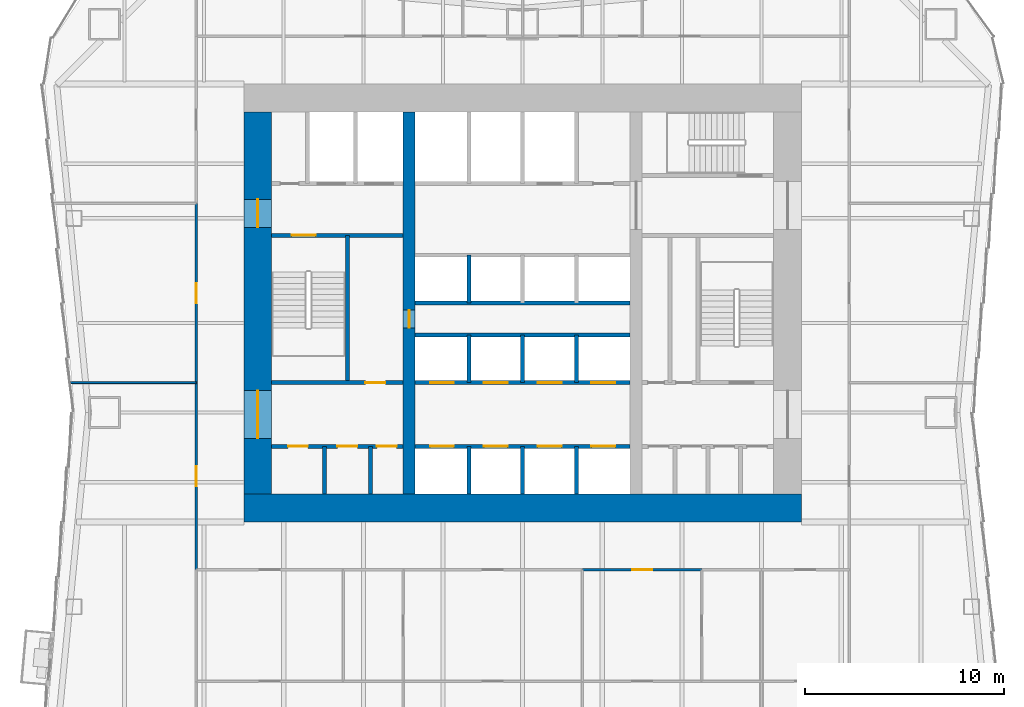
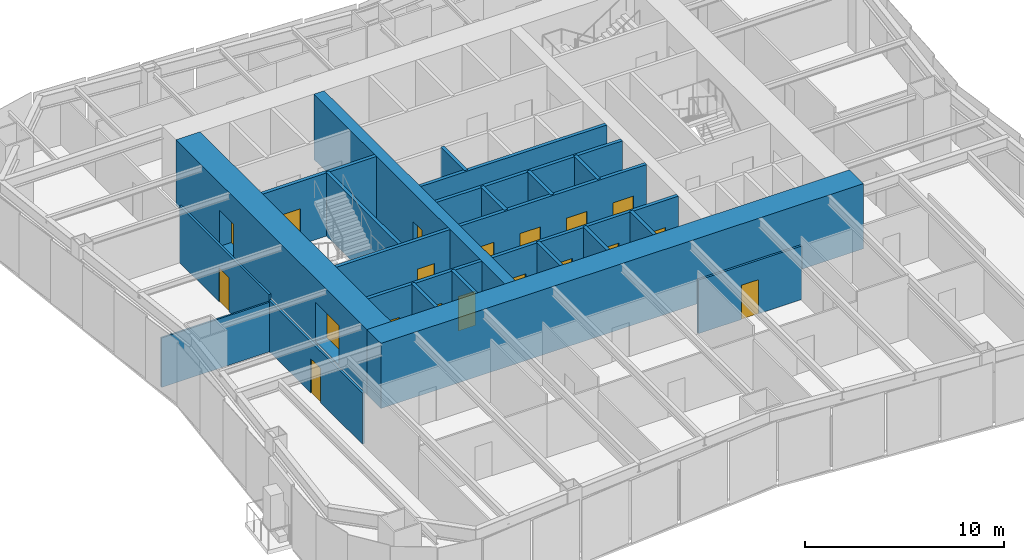
# One storey, part 4 of 8: 24 walls, 19 doors, 19 openings.
"""IFC4 building model written with IfcOpenShell, lengths in metres."""

from ifc_helpers import new_model, si_unit, direction, frame, frame_2d, origin, place, context, subcontext, project, spatial, rectangle, extrude, material, layer, layer_set, type_object, element, fill, save


model = new_model("IFC4")

# Units and contexts
model_context = context("Model", 3, precision=1e-05, world=origin(), true_north=direction((0.0, 1.0)))
body_context = subcontext(model_context, "Body", "Model", "MODEL_VIEW")
ifc_project = project(units=[si_unit("LENGTHUNIT", "METRE"), si_unit("AREAUNIT", "SQUARE_METRE"), si_unit("VOLUMEUNIT", "CUBIC_METRE"), si_unit("PLANEANGLEUNIT", "RADIAN"), si_unit("MASSUNIT", "GRAM", prefix="KILO")], contexts=[model_context])

# Site, building, storey
site_placement = place(None, origin())
site = spatial("IfcSite", under=ifc_project, at=site_placement, CompositionType="ELEMENT")
building_placement = place(site_placement, origin())
building = spatial("IfcBuilding", under=site, at=building_placement, Name="Verdant Reach Tower", CompositionType="ELEMENT")
storey_placement = place(building_placement, frame((0.0, 0.0, 46.0)))
storey = spatial("IfcBuildingStorey", under=building, at=storey_placement, Name="L10", CompositionType="ELEMENT", Elevation=46.0)

# Wall, openings, doors
ifc_material_1 = material(Name="Gypsum board on steel studs", Category="steel")
ifc_layer_1 = layer(ifc_material_1, 0.199951171875)
ifc_layer_set_1 = layer_set([ifc_layer_1], Name="CO-WALL-ROOM")
wall_type_1 = type_object("IfcWallType", Name="CO-WALL-ROOM", PredefinedType="PARTITIONING", material=ifc_layer_set_1)
wall_1_placement = place(storey_placement, frame((-12.60009765625, 20.800048828125, 0.0), z_axis=(0.0, 0.0, 1.0), x_axis=(1.0, 0.0, 0.0)))
wall_1 = element("IfcWall", 1, at=wall_1_placement, inside=storey, type_object=wall_type_1, Name="Core partition, L10", PredefinedType="PARTITIONING", context=body_context, shape_type="SweptSolid", body=[
    extrude(rectangle(XDim=6.60009765625, YDim=0.199951171875, at=frame_2d((3.300048828125, 0.0))), origin(), (0.0, 0.0, 1.0), 3.8701171875),
])
opening_1_placement = place(wall_1_placement, frame((0.820068359375, 0.0, 0.0)))
opening_1 = element("IfcOpeningElement", 2, at=opening_1_placement, cuts=wall_1, Name="Opening CD", PredefinedType="OPENING", context=body_context, shape_type="SweptSolid", body=[
    extrude(rectangle(XDim=1.0, YDim=2.10009765625, at=frame_2d((0.5, 1.050048828125))), frame((0.0, 0.10986328125, 0.0), z_axis=(0.0, -1.0, 0.0), x_axis=(1.0, 0.0, 0.0)), (0.0, 0.0, 1.0), 0.219970703125),
])
opening_2_placement = place(wall_1_placement, frame((3.294921875, 0.0, 0.0)))
opening_2 = element("IfcOpeningElement", 3, at=opening_2_placement, cuts=wall_1, Name="Opening CD", PredefinedType="OPENING", context=body_context, shape_type="SweptSolid", body=[
    extrude(rectangle(XDim=1.0, YDim=2.10009765625, at=frame_2d((0.5, 1.050048828125))), frame((0.0, 0.10986328125, 0.0), z_axis=(0.0, -1.0, 0.0), x_axis=(1.0, 0.0, 0.0)), (0.0, 0.0, 1.0), 0.219970703125),
])
opening_3_placement = place(wall_1_placement, frame((5.27490234375, 0.0, 0.0)))
opening_3 = element("IfcOpeningElement", 4, at=opening_3_placement, cuts=wall_1, Name="Opening CD", PredefinedType="OPENING", context=body_context, shape_type="SweptSolid", body=[
    extrude(rectangle(XDim=1.0, YDim=2.10009765625, at=frame_2d((0.5, 1.050048828125))), frame((0.0, 0.10986328125, 0.0), z_axis=(0.0, -1.0, 0.0), x_axis=(1.0, 0.0, 0.0)), (0.0, 0.0, 1.0), 0.219970703125),
])
ifc_material_2 = material(Name="Timber", Category="wood")
door_type_1 = type_object("IfcDoorType", Name="CO-DOOR-ROOM", OperationType="NOTDEFINED", PredefinedType="DOOR", material=ifc_material_2)
door_1_placement = place(opening_1_placement, origin())
door_1 = element("IfcDoor", 5, at=door_1_placement, inside=storey, type_object=door_type_1, Name="Core room door, L10", OperationType="SINGLE_SWING_LEFT", OverallHeight=2.10009765625, OverallWidth=1.0, PredefinedType="DOOR", context=body_context, shape_type="SweptSolid", body=[
    extrude(rectangle(XDim=1.0, YDim=2.10009765625, at=frame_2d((0.5, 1.050048828125))), frame((0.0, 0.02490234375, 0.0), z_axis=(0.0, -1.0, 0.0), x_axis=(1.0, 0.0, 0.0)), (0.0, 0.0, 1.0), 0.050048828125),
])
fill(opening_1, door_1)
door_2_placement = place(opening_2_placement, origin())
door_2 = element("IfcDoor", 6, at=door_2_placement, inside=storey, type_object=door_type_1, Name="Core room door, L10", OperationType="SINGLE_SWING_LEFT", OverallHeight=2.10009765625, OverallWidth=1.0, PredefinedType="DOOR", context=body_context, shape_type="SweptSolid", body=[
    extrude(rectangle(XDim=1.0, YDim=2.10009765625, at=frame_2d((0.5, 1.050048828125))), frame((0.0, 0.02490234375, 0.0), z_axis=(0.0, -1.0, 0.0), x_axis=(1.0, 0.0, 0.0)), (0.0, 0.0, 1.0), 0.050048828125),
])
fill(opening_2, door_2)
door_3_placement = place(opening_3_placement, origin())
door_3 = element("IfcDoor", 7, at=door_3_placement, inside=storey, type_object=door_type_1, Name="Core room door, L10", OperationType="SINGLE_SWING_RIGHT", OverallHeight=2.10009765625, OverallWidth=1.0, PredefinedType="DOOR", context=body_context, shape_type="SweptSolid", body=[
    extrude(rectangle(XDim=1.0, YDim=2.10009765625, at=frame_2d((0.5, 1.050048828125))), frame((0.0, 0.02490234375, 0.0), z_axis=(0.0, -1.0, 0.0), x_axis=(1.0, 0.0, 0.0)), (0.0, 0.0, 1.0), 0.050048828125),
])
fill(opening_3, door_3)

# Walls
for number, where, z_axis, x_axis, name in (
    (8, (-9.9599609375, 18.39990234375, 0.0), (0.0, 0.0, 1.0), (0.0, 1.0, 0.0), "Core partition, L10"),
    (9, (-7.64990234375, 18.39990234375, 0.0), (0.0, 0.0, 1.0), (0.0, 1.0, 0.0), "Core partition, L10"),
):
    element("IfcWall", number, at=place(storey_placement, frame(where, z_axis=z_axis, x_axis=x_axis)), inside=storey, type_object=wall_type_1, Name=name, PredefinedType="PARTITIONING", context=body_context, shape_type="SweptSolid", body=[
        extrude(rectangle(XDim=2.400146484375, YDim=0.199951171875, at=frame_2d((1.2001953125, 0.0))), origin(), (0.0, 0.0, 1.0), 3.8701171875),
    ])

# Wall, openings, doors
ifc_material_3 = material(Name="Concrete C40/50", Category="concrete")
ifc_layer_2 = layer(ifc_material_3, 0.199951171875)
ifc_layer_set_2 = layer_set([ifc_layer_2], Name="CO-WALL-SHAFT")
wall_type_2 = type_object("IfcWallType", Name="CO-WALL-SHAFT", PredefinedType="PARTITIONING", material=ifc_layer_set_2)
wall_2_placement = place(storey_placement, frame((-5.39990234375, 20.800048828125, 0.0), z_axis=(0.0, 0.0, 1.0), x_axis=(1.0, 0.0, 0.0)))
wall_2 = element("IfcWall", 10, at=wall_2_placement, inside=storey, type_object=wall_type_2, Name="Lift shaft wall, L10", PredefinedType="PARTITIONING", context=body_context, shape_type="SweptSolid", body=[
    extrude(rectangle(XDim=10.7998046875, YDim=0.199951171875, at=frame_2d((5.39990234375, 0.0))), origin(), (0.0, 0.0, 1.0), 3.8701171875),
])
opening_4_placement = place(wall_2_placement, frame((0.75, 0.0, 0.0)))
opening_4 = element("IfcOpeningElement", 11, at=opening_4_placement, cuts=wall_2, Name="Opening LD-A1", PredefinedType="OPENING", context=body_context, shape_type="SweptSolid", body=[
    extrude(rectangle(XDim=1.199951171875, YDim=2.199951171875, at=frame_2d((0.60009765625, 1.10009765625))), frame((0.0, 0.10986328125, 0.0), z_axis=(0.0, -1.0, 0.0), x_axis=(1.0, 0.0, 0.0)), (0.0, 0.0, 1.0), 0.219970703125),
])
opening_5_placement = place(wall_2_placement, frame((3.449951171875, 0.0, 0.0)))
opening_5 = element("IfcOpeningElement", 12, at=opening_5_placement, cuts=wall_2, Name="Opening LD-A2", PredefinedType="OPENING", context=body_context, shape_type="SweptSolid", body=[
    extrude(rectangle(XDim=1.199951171875, YDim=2.199951171875, at=frame_2d((0.60009765625, 1.10009765625))), frame((0.0, 0.10986328125, 0.0), z_axis=(0.0, -1.0, 0.0), x_axis=(1.0, 0.0, 0.0)), (0.0, 0.0, 1.0), 0.219970703125),
])
opening_6_placement = place(wall_2_placement, frame((6.14990234375, 0.0, 0.0)))
opening_6 = element("IfcOpeningElement", 13, at=opening_6_placement, cuts=wall_2, Name="Opening LD-A3", PredefinedType="OPENING", context=body_context, shape_type="SweptSolid", body=[
    extrude(rectangle(XDim=1.199951171875, YDim=2.199951171875, at=frame_2d((0.60009765625, 1.10009765625))), frame((0.0, 0.10986328125, 0.0), z_axis=(0.0, -1.0, 0.0), x_axis=(1.0, 0.0, 0.0)), (0.0, 0.0, 1.0), 0.219970703125),
])
opening_7_placement = place(wall_2_placement, frame((8.85009765625, 0.0, 0.0)))
opening_7 = element("IfcOpeningElement", 14, at=opening_7_placement, cuts=wall_2, Name="Opening LD-A4", PredefinedType="OPENING", context=body_context, shape_type="SweptSolid", body=[
    extrude(rectangle(XDim=1.199951171875, YDim=2.199951171875, at=frame_2d((0.60009765625, 1.10009765625))), frame((0.0, 0.10986328125, 0.0), z_axis=(0.0, -1.0, 0.0), x_axis=(1.0, 0.0, 0.0)), (0.0, 0.0, 1.0), 0.219970703125),
])
ifc_material_4 = material(Name="Stainless steel", Category="steel")
door_type_2 = type_object("IfcDoorType", Name="CO-DOOR-LANDING", OperationType="SLIDING_TO_LEFT", PredefinedType="DOOR", material=ifc_material_4)
door_4_placement = place(opening_4_placement, origin())
door_4 = element("IfcDoor", 15, at=door_4_placement, inside=storey, type_object=door_type_2, Name="Landing door A1, L10", OperationType="SLIDING_TO_LEFT", OverallHeight=2.199951171875, OverallWidth=1.199951171875, PredefinedType="DOOR", context=body_context, shape_type="SweptSolid", body=[
    extrude(rectangle(XDim=1.199951171875, YDim=2.199951171875, at=frame_2d((0.60009765625, 1.10009765625))), frame((0.0, 0.02490234375, 0.0), z_axis=(0.0, -1.0, 0.0), x_axis=(1.0, 0.0, 0.0)), (0.0, 0.0, 1.0), 0.050048828125),
])
fill(opening_4, door_4)
door_5_placement = place(opening_5_placement, origin())
door_5 = element("IfcDoor", 16, at=door_5_placement, inside=storey, type_object=door_type_2, Name="Landing door A2, L10", OperationType="SLIDING_TO_LEFT", OverallHeight=2.199951171875, OverallWidth=1.199951171875, PredefinedType="DOOR", context=body_context, shape_type="SweptSolid", body=[
    extrude(rectangle(XDim=1.199951171875, YDim=2.199951171875, at=frame_2d((0.60009765625, 1.10009765625))), frame((0.0, 0.02490234375, 0.0), z_axis=(0.0, -1.0, 0.0), x_axis=(1.0, 0.0, 0.0)), (0.0, 0.0, 1.0), 0.050048828125),
])
fill(opening_5, door_5)
door_6_placement = place(opening_6_placement, origin())
door_6 = element("IfcDoor", 17, at=door_6_placement, inside=storey, type_object=door_type_2, Name="Landing door A3, L10", OperationType="SLIDING_TO_LEFT", OverallHeight=2.199951171875, OverallWidth=1.199951171875, PredefinedType="DOOR", context=body_context, shape_type="SweptSolid", body=[
    extrude(rectangle(XDim=1.199951171875, YDim=2.199951171875, at=frame_2d((0.60009765625, 1.10009765625))), frame((0.0, 0.02490234375, 0.0), z_axis=(0.0, -1.0, 0.0), x_axis=(1.0, 0.0, 0.0)), (0.0, 0.0, 1.0), 0.050048828125),
])
fill(opening_6, door_6)
door_7_placement = place(opening_7_placement, origin())
door_7 = element("IfcDoor", 18, at=door_7_placement, inside=storey, type_object=door_type_2, Name="Landing door A4, L10", OperationType="SLIDING_TO_LEFT", OverallHeight=2.199951171875, OverallWidth=1.199951171875, PredefinedType="DOOR", context=body_context, shape_type="SweptSolid", body=[
    extrude(rectangle(XDim=1.199951171875, YDim=2.199951171875, at=frame_2d((0.60009765625, 1.10009765625))), frame((0.0, 0.02490234375, 0.0), z_axis=(0.0, -1.0, 0.0), x_axis=(1.0, 0.0, 0.0)), (0.0, 0.0, 1.0), 0.050048828125),
])
fill(opening_7, door_7)

wall_3_placement = place(storey_placement, frame((-5.39990234375, 24.0, 0.0), z_axis=(0.0, 0.0, 1.0), x_axis=(1.0, 0.0, 0.0)))
wall_3 = element("IfcWall", 19, at=wall_3_placement, inside=storey, type_object=wall_type_2, Name="Lift shaft wall, L10", PredefinedType="PARTITIONING", context=body_context, shape_type="SweptSolid", body=[
    extrude(rectangle(XDim=10.7998046875, YDim=0.199951171875, at=frame_2d((5.39990234375, 0.0))), origin(), (0.0, 0.0, 1.0), 3.8701171875),
])
opening_8_placement = place(wall_3_placement, frame((0.75, 0.0, 0.0)))
opening_8 = element("IfcOpeningElement", 20, at=opening_8_placement, cuts=wall_3, Name="Opening LD-A5", PredefinedType="OPENING", context=body_context, shape_type="SweptSolid", body=[
    extrude(rectangle(XDim=1.199951171875, YDim=2.199951171875, at=frame_2d((0.60009765625, 1.10009765625))), frame((0.0, 0.10986328125, 0.0), z_axis=(0.0, -1.0, 0.0), x_axis=(1.0, 0.0, 0.0)), (0.0, 0.0, 1.0), 0.219970703125),
])
opening_9_placement = place(wall_3_placement, frame((3.449951171875, 0.0, 0.0)))
opening_9 = element("IfcOpeningElement", 21, at=opening_9_placement, cuts=wall_3, Name="Opening LD-A6", PredefinedType="OPENING", context=body_context, shape_type="SweptSolid", body=[
    extrude(rectangle(XDim=1.199951171875, YDim=2.199951171875, at=frame_2d((0.60009765625, 1.10009765625))), frame((0.0, 0.10986328125, 0.0), z_axis=(0.0, -1.0, 0.0), x_axis=(1.0, 0.0, 0.0)), (0.0, 0.0, 1.0), 0.219970703125),
])
opening_10_placement = place(wall_3_placement, frame((6.14990234375, 0.0, 0.0)))
opening_10 = element("IfcOpeningElement", 22, at=opening_10_placement, cuts=wall_3, Name="Opening LD-A7", PredefinedType="OPENING", context=body_context, shape_type="SweptSolid", body=[
    extrude(rectangle(XDim=1.199951171875, YDim=2.199951171875, at=frame_2d((0.60009765625, 1.10009765625))), frame((0.0, 0.10986328125, 0.0), z_axis=(0.0, -1.0, 0.0), x_axis=(1.0, 0.0, 0.0)), (0.0, 0.0, 1.0), 0.219970703125),
])
opening_11_placement = place(wall_3_placement, frame((8.85009765625, 0.0, 0.0)))
opening_11 = element("IfcOpeningElement", 23, at=opening_11_placement, cuts=wall_3, Name="Opening LD-A8", PredefinedType="OPENING", context=body_context, shape_type="SweptSolid", body=[
    extrude(rectangle(XDim=1.199951171875, YDim=2.199951171875, at=frame_2d((0.60009765625, 1.10009765625))), frame((0.0, 0.10986328125, 0.0), z_axis=(0.0, -1.0, 0.0), x_axis=(1.0, 0.0, 0.0)), (0.0, 0.0, 1.0), 0.219970703125),
])
door_8_placement = place(opening_8_placement, origin())
door_8 = element("IfcDoor", 24, at=door_8_placement, inside=storey, type_object=door_type_2, Name="Landing door A5, L10", OperationType="SLIDING_TO_LEFT", OverallHeight=2.199951171875, OverallWidth=1.199951171875, PredefinedType="DOOR", context=body_context, shape_type="SweptSolid", body=[
    extrude(rectangle(XDim=1.199951171875, YDim=2.199951171875, at=frame_2d((0.60009765625, 1.10009765625))), frame((0.0, 0.02490234375, 0.0), z_axis=(0.0, -1.0, 0.0), x_axis=(1.0, 0.0, 0.0)), (0.0, 0.0, 1.0), 0.050048828125),
])
fill(opening_8, door_8)
door_9_placement = place(opening_9_placement, origin())
door_9 = element("IfcDoor", 25, at=door_9_placement, inside=storey, type_object=door_type_2, Name="Landing door A6, L10", OperationType="SLIDING_TO_LEFT", OverallHeight=2.199951171875, OverallWidth=1.199951171875, PredefinedType="DOOR", context=body_context, shape_type="SweptSolid", body=[
    extrude(rectangle(XDim=1.199951171875, YDim=2.199951171875, at=frame_2d((0.60009765625, 1.10009765625))), frame((0.0, 0.02490234375, 0.0), z_axis=(0.0, -1.0, 0.0), x_axis=(1.0, 0.0, 0.0)), (0.0, 0.0, 1.0), 0.050048828125),
])
fill(opening_9, door_9)
door_10_placement = place(opening_10_placement, origin())
door_10 = element("IfcDoor", 26, at=door_10_placement, inside=storey, type_object=door_type_2, Name="Landing door A7, L10", OperationType="SLIDING_TO_LEFT", OverallHeight=2.199951171875, OverallWidth=1.199951171875, PredefinedType="DOOR", context=body_context, shape_type="SweptSolid", body=[
    extrude(rectangle(XDim=1.199951171875, YDim=2.199951171875, at=frame_2d((0.60009765625, 1.10009765625))), frame((0.0, 0.02490234375, 0.0), z_axis=(0.0, -1.0, 0.0), x_axis=(1.0, 0.0, 0.0)), (0.0, 0.0, 1.0), 0.050048828125),
])
fill(opening_10, door_10)
door_11_placement = place(opening_11_placement, origin())
door_11 = element("IfcDoor", 27, at=door_11_placement, inside=storey, type_object=door_type_2, Name="Landing door A8, L10", OperationType="SLIDING_TO_LEFT", OverallHeight=2.199951171875, OverallWidth=1.199951171875, PredefinedType="DOOR", context=body_context, shape_type="SweptSolid", body=[
    extrude(rectangle(XDim=1.199951171875, YDim=2.199951171875, at=frame_2d((0.60009765625, 1.10009765625))), frame((0.0, 0.02490234375, 0.0), z_axis=(0.0, -1.0, 0.0), x_axis=(1.0, 0.0, 0.0)), (0.0, 0.0, 1.0), 0.050048828125),
])
fill(opening_11, door_11)

# Walls
for number, where, z_axis, x_axis, name in (
    (28, (-5.39990234375, 26.39990234375, 0.0), (0.0, 0.0, 1.0), (1.0, 0.0, 0.0), "Lift shaft wall, L10"),
    (29, (-5.39990234375, 28.0, 0.0), (0.0, 0.0, 1.0), (1.0, 0.0, 0.0), "Lift shaft wall, L10"),
):
    element("IfcWall", number, at=place(storey_placement, frame(where, z_axis=z_axis, x_axis=x_axis)), inside=storey, type_object=wall_type_2, Name=name, PredefinedType="PARTITIONING", context=body_context, shape_type="SweptSolid", body=[
        extrude(rectangle(XDim=10.7998046875, YDim=0.199951171875, at=frame_2d((5.39990234375, 0.0))), origin(), (0.0, 0.0, 1.0), 3.8701171875),
    ])
wall_4_placement = place(storey_placement, frame((-2.699951171875, 18.39990234375, 0.0), z_axis=(0.0, 0.0, 1.0), x_axis=(0.0, 1.0, 0.0)))
element("IfcWall", 30, at=wall_4_placement, inside=storey, type_object=wall_type_2, Name="Lift shaft wall, L10", PredefinedType="PARTITIONING", context=body_context, shape_type="SweptSolid", body=[
    extrude(rectangle(XDim=2.400146484375, YDim=0.199951171875, at=frame_2d((1.2001953125, 0.0))), origin(), (0.0, 0.0, 1.0), 3.8701171875),
])
for number, where, z_axis, x_axis, name in (
    (31, (-2.699951171875, 24.0, 0.0), (0.0, 0.0, 1.0), (0.0, 1.0, 0.0), "Lift shaft wall, L10"),
    (32, (-2.699951171875, 28.0, 0.0), (0.0, 0.0, 1.0), (0.0, 1.0, 0.0), "Lift shaft wall, L10"),
):
    element("IfcWall", number, at=place(storey_placement, frame(where, z_axis=z_axis, x_axis=x_axis)), inside=storey, type_object=wall_type_2, Name=name, PredefinedType="PARTITIONING", context=body_context, shape_type="SweptSolid", body=[
        extrude(rectangle(XDim=2.39990234375, YDim=0.199951171875, at=frame_2d((1.199951171875, 0.0))), origin(), (0.0, 0.0, 1.0), 3.8701171875),
    ])
wall_5_placement = place(storey_placement, frame((0.0, 18.39990234375, 0.0), z_axis=(0.0, 0.0, 1.0), x_axis=(0.0, 1.0, 0.0)))
element("IfcWall", 33, at=wall_5_placement, inside=storey, type_object=wall_type_2, Name="Lift shaft wall, L10", PredefinedType="PARTITIONING", context=body_context, shape_type="SweptSolid", body=[
    extrude(rectangle(XDim=2.400146484375, YDim=0.199951171875, at=frame_2d((1.2001953125, 0.0))), origin(), (0.0, 0.0, 1.0), 3.8701171875),
])
wall_6_placement = place(storey_placement, frame((0.0, 24.0, 0.0), z_axis=(0.0, 0.0, 1.0), x_axis=(0.0, 1.0, 0.0)))
element("IfcWall", 34, at=wall_6_placement, inside=storey, type_object=wall_type_2, Name="Lift shaft wall, L10", PredefinedType="PARTITIONING", context=body_context, shape_type="SweptSolid", body=[
    extrude(rectangle(XDim=2.39990234375, YDim=0.199951171875, at=frame_2d((1.199951171875, 0.0))), origin(), (0.0, 0.0, 1.0), 3.8701171875),
])
wall_7_placement = place(storey_placement, frame((2.699951171875, 18.39990234375, 0.0), z_axis=(0.0, 0.0, 1.0), x_axis=(0.0, 1.0, 0.0)))
element("IfcWall", 35, at=wall_7_placement, inside=storey, type_object=wall_type_2, Name="Lift shaft wall, L10", PredefinedType="PARTITIONING", context=body_context, shape_type="SweptSolid", body=[
    extrude(rectangle(XDim=2.400146484375, YDim=0.199951171875, at=frame_2d((1.2001953125, 0.0))), origin(), (0.0, 0.0, 1.0), 3.8701171875),
])
wall_8_placement = place(storey_placement, frame((2.699951171875, 24.0, 0.0), z_axis=(0.0, 0.0, 1.0), x_axis=(0.0, 1.0, 0.0)))
element("IfcWall", 36, at=wall_8_placement, inside=storey, type_object=wall_type_2, Name="Lift shaft wall, L10", PredefinedType="PARTITIONING", context=body_context, shape_type="SweptSolid", body=[
    extrude(rectangle(XDim=2.39990234375, YDim=0.199951171875, at=frame_2d((1.199951171875, 0.0))), origin(), (0.0, 0.0, 1.0), 3.8701171875),
])

# Wall, opening, door
ifc_layer_3 = layer(ifc_material_3, 0.199951171875)
ifc_layer_set_3 = layer_set([ifc_layer_3], Name="CO-WALL-STAIR")
wall_type_3 = type_object("IfcWallType", Name="CO-WALL-STAIR", PredefinedType="PARTITIONING", material=ifc_layer_set_3)
wall_9_placement = place(storey_placement, frame((-12.60009765625, 24.0, 0.0), z_axis=(0.0, 0.0, 1.0), x_axis=(1.0, 0.0, 0.0)))
wall_9 = element("IfcWall", 37, at=wall_9_placement, inside=storey, type_object=wall_type_3, Name="Stair enclosure wall, L10", PredefinedType="PARTITIONING", context=body_context, shape_type="SweptSolid", body=[
    extrude(rectangle(XDim=6.60009765625, YDim=0.199951171875, at=frame_2d((3.300048828125, 0.0))), origin(), (0.0, 0.0, 1.0), 3.8701171875),
])
opening_12_placement = place(wall_9_placement, frame((4.699951171875, 0.0, 0.0)))
opening_12 = element("IfcOpeningElement", 38, at=opening_12_placement, cuts=wall_9, Name="Opening CD", PredefinedType="OPENING", context=body_context, shape_type="SweptSolid", body=[
    extrude(rectangle(XDim=1.0, YDim=2.10009765625, at=frame_2d((0.5, 1.050048828125))), frame((0.0, 0.10986328125, 0.0), z_axis=(0.0, -1.0, 0.0), x_axis=(1.0, 0.0, 0.0)), (0.0, 0.0, 1.0), 0.219970703125),
])
door_12_placement = place(opening_12_placement, origin())
door_12 = element("IfcDoor", 39, at=door_12_placement, inside=storey, type_object=door_type_1, Name="Core room door, L10", OperationType="SINGLE_SWING_LEFT", OverallHeight=2.10009765625, OverallWidth=1.0, PredefinedType="DOOR", context=body_context, shape_type="SweptSolid", body=[
    extrude(rectangle(XDim=1.0, YDim=2.10009765625, at=frame_2d((0.5, 1.050048828125))), frame((0.0, 0.02490234375, 0.0), z_axis=(0.0, -1.0, 0.0), x_axis=(1.0, 0.0, 0.0)), (0.0, 0.0, 1.0), 0.050048828125),
])
fill(opening_12, door_12)

wall_10_placement = place(storey_placement, frame((-12.60009765625, 31.39990234375, 0.0), z_axis=(0.0, 0.0, 1.0), x_axis=(1.0, 0.0, 0.0)))
wall_10 = element("IfcWall", 40, at=wall_10_placement, inside=storey, type_object=wall_type_3, Name="Stair enclosure wall, L10", PredefinedType="PARTITIONING", context=body_context, shape_type="SweptSolid", body=[
    extrude(rectangle(XDim=6.60009765625, YDim=0.199951171875, at=frame_2d((3.300048828125, 0.0))), origin(), (0.0, 0.0, 1.0), 3.8701171875),
])
opening_13_placement = place(wall_10_placement, frame((1.0, 0.0, 0.0)))
opening_13 = element("IfcOpeningElement", 41, at=opening_13_placement, cuts=wall_10, Name="Opening SD", PredefinedType="OPENING", context=body_context, shape_type="SweptSolid", body=[
    extrude(rectangle(XDim=1.199951171875, YDim=2.199951171875, at=frame_2d((0.60009765625, 1.10009765625))), frame((0.0, 0.10986328125, 0.0), z_axis=(0.0, -1.0, 0.0), x_axis=(1.0, 0.0, 0.0)), (0.0, 0.0, 1.0), 0.219970703125),
])
ifc_material_5 = material(Name="Steel", Category="steel")
door_type_3 = type_object("IfcDoorType", Name="CO-DOOR-STAIR", OperationType="NOTDEFINED", PredefinedType="DOOR", material=ifc_material_5)
door_13_placement = place(opening_13_placement, origin())
door_13 = element("IfcDoor", 42, at=door_13_placement, inside=storey, type_object=door_type_3, Name="Stair door, L10", OperationType="SINGLE_SWING_RIGHT", OverallHeight=2.199951171875, OverallWidth=1.199951171875, PredefinedType="DOOR", context=body_context, shape_type="SweptSolid", body=[
    extrude(rectangle(XDim=1.199951171875, YDim=2.199951171875, at=frame_2d((0.60009765625, 1.10009765625))), frame((0.0, 0.02490234375, 0.0), z_axis=(0.0, -1.0, 0.0), x_axis=(1.0, 0.0, 0.0)), (0.0, 0.0, 1.0), 0.050048828125),
])
fill(opening_13, door_13)

# Walls
wall_11_placement = place(storey_placement, frame((-8.800048828125, 24.0, 0.0), z_axis=(0.0, 0.0, 1.0), x_axis=(0.0, 1.0, 0.0)))
element("IfcWall", 43, at=wall_11_placement, inside=storey, type_object=wall_type_3, Name="Stair enclosure wall, L10", PredefinedType="PARTITIONING", context=body_context, shape_type="SweptSolid", body=[
    extrude(rectangle(XDim=7.39990234375, YDim=0.199951171875, at=frame_2d((3.699951171875, 0.0))), origin(), (0.0, 0.0, 1.0), 3.8701171875),
])
ifc_layer_4 = layer(ifc_material_1, 0.10009765625)
ifc_layer_set_4 = layer_set([ifc_layer_4], Name="FL-W1 Partition 100")
wall_type_4 = type_object("IfcWallType", Name="FL-W1 Partition 100", PredefinedType="PARTITIONING", material=ifc_layer_set_4)
wall_12_placement = place(storey_placement, frame((-16.39990234375, 24.0, 0.0), z_axis=(0.0, 0.0, 1.0), x_axis=(-1.0, 0.0, 0.0)))
element("IfcWall", 44, at=wall_12_placement, inside=storey, type_object=wall_type_4, Name="Partition 10.44", PredefinedType="PARTITIONING", context=body_context, shape_type="SweptSolid", body=[
    extrude(rectangle(XDim=6.31640625, YDim=0.10009765625, at=frame_2d((3.158203125, 0.0))), origin(), (0.0, 0.0, 1.0), 3.0400390625),
])

# Wall, opening, door
ifc_material_6 = material(Name="Gypsum board on steel studs, fire rated", Category="steel")
ifc_layer_5 = layer(ifc_material_6, 0.125)
ifc_layer_set_5 = layer_set([ifc_layer_5], Name="FL-W2 Corridor wall 125")
wall_type_5 = type_object("IfcWallType", Name="FL-W2 Corridor wall 125", PredefinedType="PARTITIONING", material=ifc_layer_set_5)
wall_13_placement = place(storey_placement, frame((9.0, 14.60009765625, 0.0), z_axis=(0.0, 0.0, 1.0), x_axis=(-1.0, 0.0, 0.0)))
wall_13 = element("IfcWall", 45, at=wall_13_placement, inside=storey, type_object=wall_type_5, Name="Partition 10.04", PredefinedType="PARTITIONING", context=body_context, shape_type="SweptSolid", body=[
    extrude(rectangle(XDim=6.0, YDim=0.125, at=frame_2d((3.0, 0.0))), origin(), (0.0, 0.0, 1.0), 3.2900390625),
])
opening_14_placement = place(wall_13_placement, frame((2.5, 0.0, 0.0)))
opening_14 = element("IfcOpeningElement", 46, at=opening_14_placement, cuts=wall_13, Name="Opening D2", PredefinedType="OPENING", context=body_context, shape_type="SweptSolid", body=[
    extrude(rectangle(XDim=1.0, YDim=2.10009765625, at=frame_2d((0.5, 1.050048828125))), frame((0.0, 0.072509765625, 0.0), z_axis=(0.0, -1.0, 0.0), x_axis=(1.0, 0.0, 0.0)), (0.0, 0.0, 1.0), 0.14501953125),
])
ifc_material_7 = material(Name="Timber door leaf, fire rated", Category="wood")
door_type_4 = type_object("IfcDoorType", Name="FL-D2 Entrance door 1000x2100 FD30", OperationType="NOTDEFINED", PredefinedType="DOOR", material=ifc_material_7)
door_14_placement = place(opening_14_placement, origin())
door_14 = element("IfcDoor", 47, at=door_14_placement, inside=storey, type_object=door_type_4, Name="Door 10-003", OperationType="SINGLE_SWING_LEFT", OverallHeight=2.10009765625, OverallWidth=1.0, PredefinedType="DOOR", context=body_context, shape_type="SweptSolid", body=[
    extrude(rectangle(XDim=1.0, YDim=2.10009765625, at=frame_2d((0.5, 1.050048828125))), frame((0.0, 0.02490234375, 0.0), z_axis=(0.0, -1.0, 0.0), x_axis=(1.0, 0.0, 0.0)), (0.0, 0.0, 1.0), 0.050048828125),
])
fill(opening_14, door_14)

wall_14_placement = place(storey_placement, frame((-16.39990234375, 14.595947265625, 0.0), z_axis=(0.0, 0.0, 1.0), x_axis=(0.0, 1.0, 0.0)))
wall_14 = element("IfcWall", 48, at=wall_14_placement, inside=storey, type_object=wall_type_5, Name="Partition 10.13", PredefinedType="PARTITIONING", context=body_context, shape_type="SweptSolid", body=[
    extrude(rectangle(XDim=9.404052734375, YDim=0.125, at=frame_2d((4.7021484375, 0.0))), origin(), (0.0, 0.0, 1.0), 3.139892578125),
])
opening_15_placement = place(wall_14_placement, frame((4.201904296875, 0.0, 0.0)))
opening_15 = element("IfcOpeningElement", 49, at=opening_15_placement, cuts=wall_14, Name="Opening D2", PredefinedType="OPENING", context=body_context, shape_type="SweptSolid", body=[
    extrude(rectangle(XDim=1.0, YDim=2.10009765625, at=frame_2d((0.5, 1.050048828125))), frame((0.0, 0.072509765625, 0.0), z_axis=(0.0, -1.0, 0.0), x_axis=(1.0, 0.0, 0.0)), (0.0, 0.0, 1.0), 0.14501953125),
])
door_15_placement = place(opening_15_placement, origin())
door_15 = element("IfcDoor", 50, at=door_15_placement, inside=storey, type_object=door_type_4, Name="Door 10-011", OperationType="SINGLE_SWING_LEFT", OverallHeight=2.10009765625, OverallWidth=1.0, PredefinedType="DOOR", context=body_context, shape_type="SweptSolid", body=[
    extrude(rectangle(XDim=1.0, YDim=2.10009765625, at=frame_2d((0.5, 1.050048828125))), frame((0.0, 0.02490234375, 0.0), z_axis=(0.0, -1.0, 0.0), x_axis=(1.0, 0.0, 0.0)), (0.0, 0.0, 1.0), 0.050048828125),
])
fill(opening_15, door_15)

wall_15_placement = place(storey_placement, frame((-16.39990234375, 24.0, 0.0), z_axis=(0.0, 0.0, 1.0), x_axis=(0.0, 1.0, 0.0)))
wall_15 = element("IfcWall", 51, at=wall_15_placement, inside=storey, type_object=wall_type_5, Name="Partition 10.14", PredefinedType="PARTITIONING", context=body_context, shape_type="SweptSolid", body=[
    extrude(rectangle(XDim=9.0, YDim=0.125, at=frame_2d((4.5, 0.0))), origin(), (0.0, 0.0, 1.0), 3.47998046875),
])
opening_16_placement = place(wall_15_placement, frame((4.0, 0.0, 0.0)))
opening_16 = element("IfcOpeningElement", 52, at=opening_16_placement, cuts=wall_15, Name="Opening D2", PredefinedType="OPENING", context=body_context, shape_type="SweptSolid", body=[
    extrude(rectangle(XDim=1.0, YDim=2.10009765625, at=frame_2d((0.5, 1.050048828125))), frame((0.0, 0.072509765625, 0.0), z_axis=(0.0, -1.0, 0.0), x_axis=(1.0, 0.0, 0.0)), (0.0, 0.0, 1.0), 0.14501953125),
])
door_16_placement = place(opening_16_placement, origin())
door_16 = element("IfcDoor", 53, at=door_16_placement, inside=storey, type_object=door_type_4, Name="Door 10-012", OperationType="SINGLE_SWING_RIGHT", OverallHeight=2.10009765625, OverallWidth=1.0, PredefinedType="DOOR", context=body_context, shape_type="SweptSolid", body=[
    extrude(rectangle(XDim=1.0, YDim=2.10009765625, at=frame_2d((0.5, 1.050048828125))), frame((0.0, 0.02490234375, 0.0), z_axis=(0.0, -1.0, 0.0), x_axis=(1.0, 0.0, 0.0)), (0.0, 0.0, 1.0), 0.050048828125),
])
fill(opening_16, door_16)

# Wall
ifc_material_8 = material(Name="Concrete C70/85", Category="concrete")
ifc_layer_6 = layer(ifc_material_8, 1.39990234375)
ifc_layer_set_6 = layer_set([ifc_layer_6], Name="ST-CORE-WALL-1400")
wall_type_6 = type_object("IfcWallType", Name="ST-CORE-WALL-1400", PredefinedType="SHEAR", material=ifc_layer_set_6)
wall_16_placement = place(storey_placement, frame((-14.0, 17.699951171875, -0.1298828125), z_axis=(0.0, 0.0, 1.0), x_axis=(1.0, 0.0, 0.0)))
element("IfcWall", 54, at=wall_16_placement, inside=storey, type_object=wall_type_6, Name="Core wall S, L10", PredefinedType="SHEAR", context=body_context, shape_type="SweptSolid", body=[
    extrude(rectangle(XDim=28.0, YDim=1.39990234375, at=frame_2d((14.0, 0.0))), origin(), (0.0, 0.0, 1.0), 4.0),
])

# Wall, openings, doors
wall_17_placement = place(storey_placement, frame((-13.300048828125, 18.39990234375, -0.1298828125), z_axis=(0.0, 0.0, 1.0), x_axis=(0.0, 1.0, 0.0)))
wall_17 = element("IfcWall", 55, at=wall_17_placement, inside=storey, type_object=wall_type_6, Name="Core wall W, L10", PredefinedType="SHEAR", context=body_context, shape_type="SweptSolid", body=[
    extrude(rectangle(XDim=19.2001953125, YDim=1.39990234375, at=frame_2d((9.60009765625, 0.0))), origin(), (0.0, 0.0, 1.0), 4.0),
])
opening_17_placement = place(wall_17_placement, frame((2.800048828125, 0.0, 0.1298828125)))
opening_17 = element("IfcOpeningElement", 56, at=opening_17_placement, cuts=wall_17, Name="Opening LB", PredefinedType="OPENING", context=body_context, shape_type="SweptSolid", body=[
    extrude(rectangle(XDim=2.39990234375, YDim=2.39990234375, at=frame_2d((1.199951171875, 1.199951171875))), frame((0.0, 0.7099609375, 0.0), z_axis=(0.0, -1.0, 0.0), x_axis=(1.0, 0.0, 0.0)), (0.0, 0.0, 1.0), 1.419921875),
])
opening_18_placement = place(wall_17_placement, frame((13.39990234375, 0.0, 0.1298828125)))
opening_18 = element("IfcOpeningElement", 57, at=opening_18_placement, cuts=wall_17, Name="Opening FL", PredefinedType="OPENING", context=body_context, shape_type="SweptSolid", body=[
    extrude(rectangle(XDim=1.39990234375, YDim=2.199951171875, at=frame_2d((0.699951171875, 1.10009765625))), frame((0.0, 0.7099609375, 0.0), z_axis=(0.0, -1.0, 0.0), x_axis=(1.0, 0.0, 0.0)), (0.0, 0.0, 1.0), 1.419921875),
])
door_type_5 = type_object("IfcDoorType", Name="CO-DOOR-FFL", OperationType="NOTDEFINED", PredefinedType="DOOR", material=ifc_material_5)
door_17_placement = place(opening_18_placement, origin())
door_17 = element("IfcDoor", 58, at=door_17_placement, inside=storey, type_object=door_type_5, Name="Core entrance door, L10", OperationType="SINGLE_SWING_RIGHT", OverallHeight=2.199951171875, OverallWidth=1.39990234375, PredefinedType="DOOR", context=body_context, shape_type="SweptSolid", body=[
    extrude(rectangle(XDim=1.39990234375, YDim=2.199951171875, at=frame_2d((0.699951171875, 1.10009765625))), frame((0.0, 0.02490234375, 0.0), z_axis=(0.0, -1.0, 0.0), x_axis=(1.0, 0.0, 0.0)), (0.0, 0.0, 1.0), 0.050048828125),
])
fill(opening_18, door_17)
ifc_material_9 = material(Name="Glass and steel", Category="steel")
door_type_6 = type_object("IfcDoorType", Name="CO-DOOR-LOBBY", OperationType="DOUBLE_DOOR_SINGLE_SWING", PredefinedType="DOOR", material=ifc_material_9)
door_18_placement = place(opening_17_placement, origin())
door_18 = element("IfcDoor", 59, at=door_18_placement, inside=storey, type_object=door_type_6, Name="Core entrance door, L10", OperationType="DOUBLE_DOOR_SINGLE_SWING", OverallHeight=2.39990234375, OverallWidth=2.39990234375, PredefinedType="DOOR", context=body_context, shape_type="SweptSolid", body=[
    extrude(rectangle(XDim=2.39990234375, YDim=2.39990234375, at=frame_2d((1.199951171875, 1.199951171875))), frame((0.0, 0.02490234375, 0.0), z_axis=(0.0, -1.0, 0.0), x_axis=(1.0, 0.0, 0.0)), (0.0, 0.0, 1.0), 0.050048828125),
])
fill(opening_17, door_18)

# Wall, opening, door
ifc_layer_7 = layer(ifc_material_8, 0.60009765625)
ifc_layer_set_7 = layer_set([ifc_layer_7], Name="ST-CORE-WALL-600")
wall_type_7 = type_object("IfcWallType", Name="ST-CORE-WALL-600", PredefinedType="SHEAR", material=ifc_layer_set_7)
wall_18_placement = place(storey_placement, frame((-5.699951171875, 18.39990234375, -0.1298828125), z_axis=(0.0, 0.0, 1.0), x_axis=(0.0, 1.0, 0.0)))
wall_18 = element("IfcWall", 60, at=wall_18_placement, inside=storey, type_object=wall_type_7, Name="Core wall XW, L10", PredefinedType="SHEAR", context=body_context, shape_type="SweptSolid", body=[
    extrude(rectangle(XDim=19.2001953125, YDim=0.60009765625, at=frame_2d((9.60009765625, 0.0))), origin(), (0.0, 0.0, 1.0), 4.0),
])
opening_19_placement = place(wall_18_placement, frame((8.35009765625, 0.0, 0.1298828125)))
opening_19 = element("IfcOpeningElement", 61, at=opening_19_placement, cuts=wall_18, Name="Opening RD", PredefinedType="OPENING", context=body_context, shape_type="SweptSolid", body=[
    extrude(rectangle(XDim=0.89990234375, YDim=2.10009765625, at=frame_2d((0.449951171875, 1.050048828125))), frame((0.0, 0.31005859375, 0.0), z_axis=(0.0, -1.0, 0.0), x_axis=(1.0, 0.0, 0.0)), (0.0, 0.0, 1.0), 0.6201171875),
])
door_type_7 = type_object("IfcDoorType", Name="CO-DOOR-RISER", OperationType="NOTDEFINED", PredefinedType="DOOR", material=ifc_material_5)
door_19_placement = place(opening_19_placement, origin())
door_19 = element("IfcDoor", 62, at=door_19_placement, inside=storey, type_object=door_type_7, Name="Riser door, L10", OperationType="SINGLE_SWING_RIGHT", OverallHeight=2.10009765625, OverallWidth=0.89990234375, PredefinedType="DOOR", context=body_context, shape_type="SweptSolid", body=[
    extrude(rectangle(XDim=0.89990234375, YDim=2.10009765625, at=frame_2d((0.449951171875, 1.050048828125))), frame((0.0, 0.02490234375, 0.0), z_axis=(0.0, -1.0, 0.0), x_axis=(1.0, 0.0, 0.0)), (0.0, 0.0, 1.0), 0.050048828125),
])
fill(opening_19, door_19)

save(model, "model.ifc")
